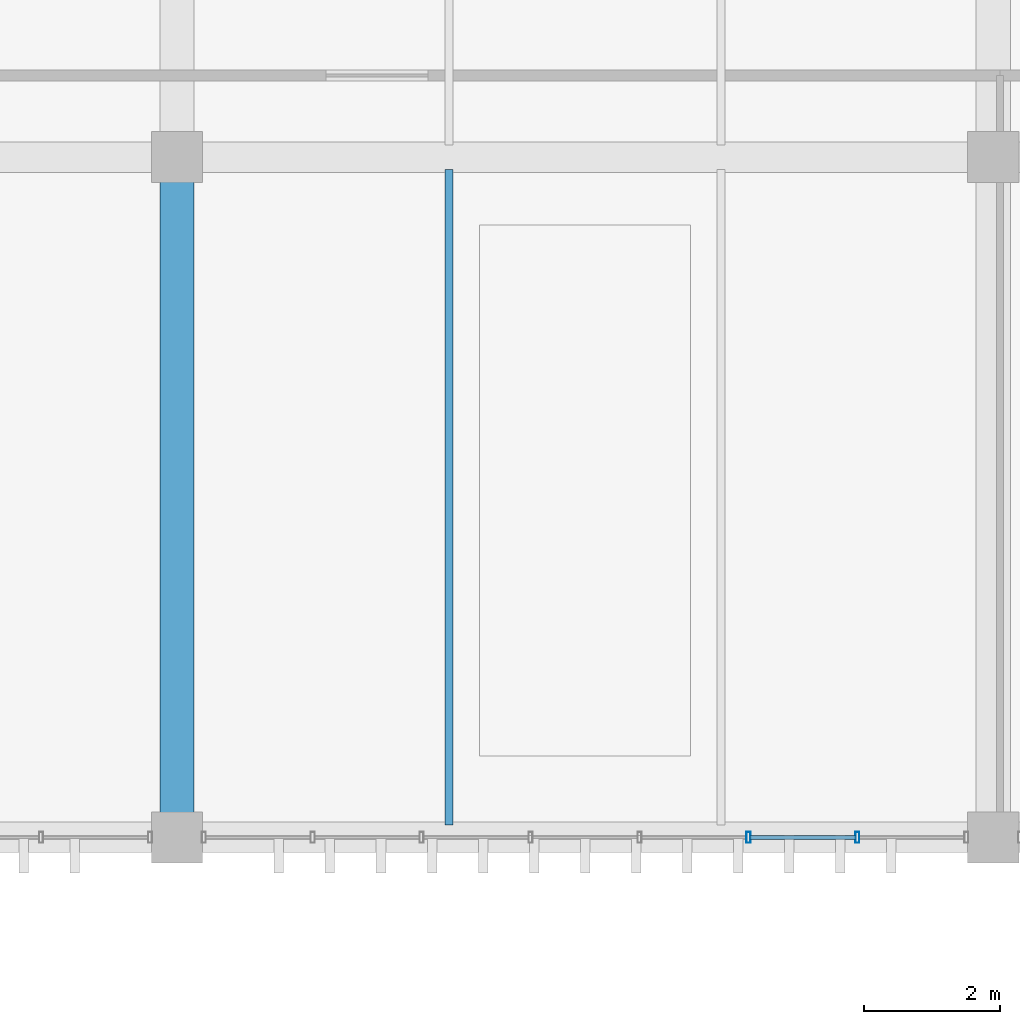
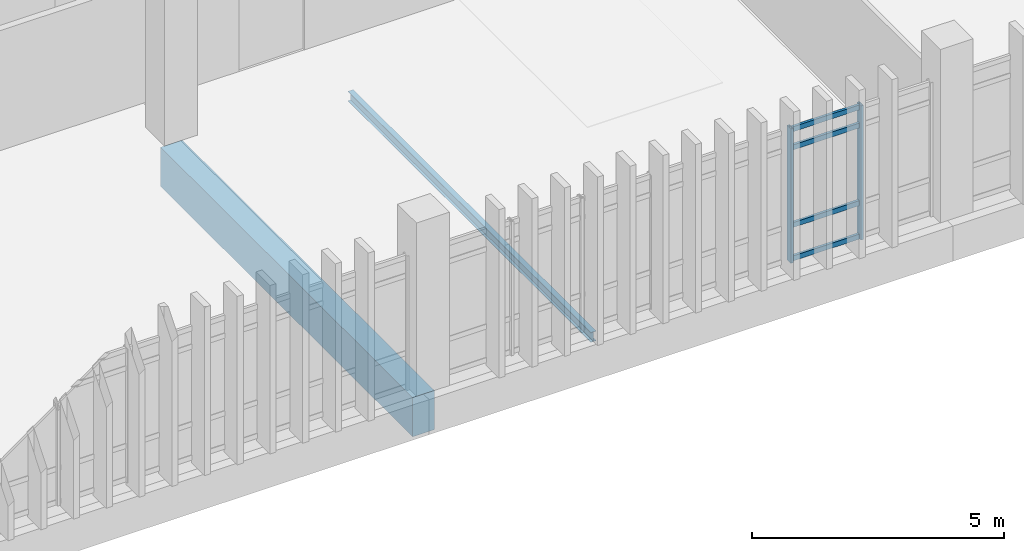
# One storey, part 26 of 111: 6 members, 2 beams, 1 element without a shape of its own.
"""IFC4 building model written with IfcOpenShell, lengths in metres."""

import ifcopenshell
import ifcopenshell.guid

model = None  # the IFC model being written
_history = None  # IfcOwnerHistory: only IFC2X3 demands one
_inside = {}  # id of a spatial element -> (the spatial element, [elements in it])
_under = {}  # id of a project, library or spatial element -> (it, [spatial elements below it])
_declared = {}  # id of a project -> (the project, [libraries it declares])
_typed = {}  # id of a type object -> (the type object, [elements of that type])
_made_of = {}  # id of a material, layer set ... -> (it, [elements and type objects made of it])


def new_model(schema):
    """Start an empty IFC model of exactly this schema.

    Asked for "IFC4X3", IfcOpenShell would pick the latest addendum, in which some entities
    have other attributes; the version numbers below select the first issue.
    IFC2X3 requires an IfcOwnerHistory on every rooted entity: one is made here for all.
    """
    global model, _history
    if schema == "IFC4X3":
        model = ifcopenshell.file(schema_version=(4, 3, 0, 0))
    else:
        model = ifcopenshell.file(schema=schema)
    _inside.clear()
    _under.clear()
    _declared.clear()
    _typed.clear()
    _made_of.clear()
    _history = None
    if model.schema == "IFC2X3":
        org = make("IfcOrganization", Name="unknown")
        user = make(
            "IfcPersonAndOrganization",
            ThePerson=make("IfcPerson", FamilyName="unknown"),
            TheOrganization=org,
        )
        app = make(
            "IfcApplication",
            ApplicationDeveloper=org,
            Version="unknown",
            ApplicationFullName="unknown",
            ApplicationIdentifier="unknown",
        )
        _history = make(
            "IfcOwnerHistory",
            OwningUser=user,
            OwningApplication=app,
            ChangeAction="ADDED",
            CreationDate=0,
        )
    return model


def make(cls, **values):
    """One entity of the class cls with the attributes given. An attribute that is None is left unset."""
    return model.create_entity(
        cls, **{name: value for name, value in values.items() if value is not None}
    )


def rooted(cls, **values):
    """An entity with a GlobalId (a new one), such as an element, a storey or a relation."""
    return make(cls, GlobalId=ifcopenshell.guid.new(), OwnerHistory=_history, **values)


def si_unit(unit_type, name, prefix=None):
    """IfcSIUnit, for example si_unit("LENGTHUNIT", "METRE", prefix="MILLI")."""
    return make("IfcSIUnit", UnitType=unit_type, Prefix=prefix, Name=name)


def assignment(units):
    """IfcUnitAssignment: the units of a project."""
    return None if units is None else make("IfcUnitAssignment", Units=units)


def point(xyz):
    """IfcCartesianPoint."""
    return None if xyz is None else make("IfcCartesianPoint", Coordinates=xyz)


def direction(xyz):
    """IfcDirection."""
    return None if xyz is None else make("IfcDirection", DirectionRatios=xyz)


def frame(location, z_axis=None, x_axis=None):
    """IfcAxis2Placement3D, a coordinate frame: its origin and axes. An axis left out is left unset."""
    return make(
        "IfcAxis2Placement3D",
        Location=point(location),
        Axis=direction(z_axis),
        RefDirection=direction(x_axis),
    )


def frame_2d(location, x_axis=None):
    """IfcAxis2Placement2D, a coordinate frame in the plane: its origin and x axis."""
    return make(
        "IfcAxis2Placement2D", Location=point(location), RefDirection=direction(x_axis)
    )


def origin():
    """The frame at (0, 0, 0) with its axes left unset."""
    return frame((0.0, 0.0, 0.0))


def origin_2d():
    """The frame at (0, 0) in the plane with its x axis left unset."""
    return frame_2d((0.0, 0.0))


def place(relative_to, where):
    """IfcLocalPlacement: puts the frame where relative to a parent placement (None: the world)."""
    return make(
        "IfcLocalPlacement", PlacementRelTo=relative_to, RelativePlacement=where
    )


def context(
    kind, dimensions, precision=None, world=None, true_north=None, identifier=None
):
    """IfcGeometricRepresentationContext, for example the 3D "Model" context."""
    return make(
        "IfcGeometricRepresentationContext",
        ContextIdentifier=identifier,
        ContextType=kind,
        CoordinateSpaceDimension=dimensions,
        Precision=precision,
        WorldCoordinateSystem=world,
        TrueNorth=true_north,
    )


def subcontext(parent, identifier, kind, view, scale=None):
    """IfcGeometricRepresentationSubContext, for example "Body" below "Model"."""
    return make(
        "IfcGeometricRepresentationSubContext",
        ContextIdentifier=identifier,
        ContextType=kind,
        ParentContext=parent,
        TargetScale=scale,
        TargetView=view,
    )


def project(units=None, contexts=None):
    """IfcProject with its units and contexts."""
    return rooted(
        "IfcProject",
        Name="project",
        RepresentationContexts=contexts,
        UnitsInContext=assignment(units),
    )


def spatial(cls, under=None, at=None, **own):
    """A site, building, storey or space (cls), placed at a placement, below another one or the project."""
    s = rooted(cls, ObjectPlacement=at, **own)
    if under is not None:
        _under.setdefault(under.id(), (under, []))[1].append(s)
    return s


def profile(cls, at=None, kind="AREA", **sizes):
    """A parametric profile (cls). Its sizes go by their IFC names, for example OverallWidth=200.0."""
    return make(cls, ProfileType=kind, Position=at, **sizes)


def rectangle(**sizes):
    """IfcRectangleProfileDef."""
    return profile("IfcRectangleProfileDef", **sizes)


def hollow_rectangle(**sizes):
    """IfcRectangleHollowProfileDef."""
    return profile("IfcRectangleHollowProfileDef", **sizes)


def i_section(**sizes):
    """IfcIShapeProfileDef."""
    return profile("IfcIShapeProfileDef", **sizes)


def extrude(swept, where, along, depth):
    """IfcExtrudedAreaSolid: the profile swept, set in the frame where, extruded along a direction by depth."""
    return make(
        "IfcExtrudedAreaSolid",
        SweptArea=swept,
        Position=where,
        ExtrudedDirection=direction(along),
        Depth=depth,
    )


def shape(context_of_items, identifier, shape_type, items):
    """IfcShapeRepresentation: the items that make up one representation, for example the "Body"."""
    return make(
        "IfcShapeRepresentation",
        ContextOfItems=context_of_items,
        RepresentationIdentifier=identifier,
        RepresentationType=shape_type,
        Items=items,
    )


def material(Name=None, Category=None):
    """IfcMaterial."""
    return make("IfcMaterial", Name=Name, Category=Category)


def layer(
    of_material, thickness, ventilated=None, Name=None, Category=None, Priority=None
):
    """IfcMaterialLayer: one layer of a wall or slab, of a material (None: an air gap)."""
    return make(
        "IfcMaterialLayer",
        Material=of_material,
        LayerThickness=thickness,
        IsVentilated=ventilated,
        Name=Name,
        Category=Category,
        Priority=Priority,
    )


def layer_set(layers, Name=None):
    """IfcMaterialLayerSet."""
    return make("IfcMaterialLayerSet", MaterialLayers=layers, LayerSetName=Name)


def material_profile(
    of_material, cross_section, Name=None, Category=None, Priority=None
):
    """IfcMaterialProfile: a cross section and its material."""
    return make(
        "IfcMaterialProfile",
        Name=Name,
        Material=of_material,
        Profile=cross_section,
        Priority=Priority,
        Category=Category,
    )


def profile_set(profiles, Name=None, composite=None):
    """IfcMaterialProfileSet."""
    return make(
        "IfcMaterialProfileSet",
        Name=Name,
        MaterialProfiles=profiles,
        CompositeProfile=composite,
    )


def made_of(thing, what):
    """Note that an element or type object is made of a material, layer set ...; save() writes the relation."""
    if what is not None:
        _made_of.setdefault(what.id(), (what, []))[1].append(thing)
    return thing


def type_object(cls, material=None, **own):
    """A type object (cls), such as IfcWallType, which elements share."""
    return made_of(rooted(cls, **own), material)


def element(
    cls,
    number,
    at=None,
    inside=None,
    cuts=None,
    type_object=None,
    material=None,
    context=None,
    identifier="Body",
    shape_type=None,
    held_by="IfcProductDefinitionShape",
    body=None,
    shapes=None,
    **own,
):
    """One element of the class cls, such as IfcWall. Its Tag is "e" and its number.

    at: its placement. inside: the storey or other place that contains it. cuts: it is an
    opening in that element (IfcRelVoidsElement). A single representation is given by context,
    identifier, shape_type and body (its items); several are given by shapes. held_by: the class
    of the entity that holds the representations. save() writes the other relations.
    """
    e = rooted(cls, Tag="e%d" % number, ObjectPlacement=at, **own)
    if body is not None:
        shapes = [shape(context, identifier, shape_type, body)]
    if shapes is not None:
        e.Representation = make(held_by, Representations=shapes)
    if inside is not None:
        _inside.setdefault(inside.id(), (inside, []))[1].append(e)
    if cuts is not None:
        rooted(
            "IfcRelVoidsElement", RelatingBuildingElement=cuts, RelatedOpeningElement=e
        )
    if type_object is not None:
        _typed.setdefault(type_object.id(), (type_object, []))[1].append(e)
    return made_of(e, material)


def aggregate(whole, parts):
    """IfcRelAggregates: a whole, such as a stair, and the parts it consists of."""
    return rooted("IfcRelAggregates", RelatingObject=whole, RelatedObjects=parts)


def save(model, path):
    """Write the relations noted so far, then the file.

    IfcRelAggregates (storeys below a building ...), IfcRelContainedInSpatialStructure (elements
    in a storey), IfcRelDefinesByType, IfcRelAssociatesMaterial and IfcRelDeclares: one each for
    every whole, place, type object, material and project.
    """
    for whole, parts in _under.values():
        aggregate(whole, parts)
    for where, things in _inside.values():
        rooted(
            "IfcRelContainedInSpatialStructure",
            RelatedElements=things,
            RelatingStructure=where,
        )
    for kind, things in _typed.values():
        rooted("IfcRelDefinesByType", RelatedObjects=things, RelatingType=kind)
    for what, things in _made_of.values():
        rooted("IfcRelAssociatesMaterial", RelatedObjects=things, RelatingMaterial=what)
    for by, libraries in _declared.values():
        rooted("IfcRelDeclares", RelatingContext=by, RelatedDefinitions=libraries)
    model.write(path)


model = new_model("IFC4")

# Units and contexts
model_context = context("Model", 3, precision=1e-05, world=origin(), true_north=direction((0.0, 1.0)))
body_context = subcontext(model_context, "Body", "Model", "MODEL_VIEW")
ifc_project = project(units=[si_unit("LENGTHUNIT", "METRE"), si_unit("AREAUNIT", "SQUARE_METRE"), si_unit("VOLUMEUNIT", "CUBIC_METRE"), si_unit("PLANEANGLEUNIT", "RADIAN"), si_unit("MASSUNIT", "GRAM", prefix="KILO")], contexts=[model_context])

# Site, building, storey
site_placement = place(None, origin())
site = spatial("IfcSite", under=ifc_project, at=site_placement, CompositionType="ELEMENT")
building_placement = place(site_placement, origin())
building = spatial("IfcBuilding", under=site, at=building_placement, Name="Mersad Railyard Sports Hall", CompositionType="ELEMENT")
storey_placement = place(building_placement, frame((0.0, 0.0, 9.0)))
storey = spatial("IfcBuildingStorey", under=building, at=storey_placement, Name="L02", CompositionType="ELEMENT", Elevation=9.0)

# Curtain wall, members
ifc_material_1 = material(Name="Aluminium 6063-T6", Category="aluminium")
ifc_layer = layer(ifc_material_1, 0.159912109375)
ifc_layer_set = layer_set([ifc_layer], Name="Aluminium 6063-T6")
curtain_wall_type = type_object("IfcCurtainWallType", Name="ARC-CW-CW54", PredefinedType="USERDEFINED", material=ifc_layer_set)
curtain_wall_placement = place(storey_placement, origin())
curtain_wall = element("IfcCurtainWall", 1, at=curtain_wall_placement, inside=storey, type_object=curtain_wall_type, Name="Curtain wall CW54-0144", ObjectType="CURTAIN WALL", PredefinedType="USERDEFINED")
ifc_material_profile_1 = material_profile(ifc_material_1, hollow_rectangle(XDim=0.06005859375, YDim=0.159912109375, WallThickness=0.00390625, at=origin_2d()), Name="AL MULLION 60x160x4")
ifc_profile_set_1 = profile_set([ifc_material_profile_1], Name="Aluminium 6063-T6")
member_type_1 = type_object("IfcMemberType", Name="ARC-CW-MUL01", PredefinedType="MULLION", material=ifc_profile_set_1)
member_1_placement = place(storey_placement, frame((65.003662109375, 85.0, -0.02001953125), z_axis=(0.0, 0.0, 1.0), x_axis=(1.0, 0.0, 0.0)))
member_1 = element("IfcMember", 2, at=member_1_placement, type_object=member_type_1, Name="CW54 Mullion 2", PredefinedType="MULLION", context=body_context, shape_type="SweptSolid", body=[
    extrude(hollow_rectangle(XDim=0.06005859375, YDim=0.159912109375, WallThickness=0.00390625, at=origin_2d()), origin(), (0.0, 0.0, 1.0), 3.25),
])
member_2_placement = place(storey_placement, frame((63.402099609375, 85.0, -0.02001953125), z_axis=(0.0, 0.0, 1.0), x_axis=(1.0, 0.0, 0.0)))
member_2 = element("IfcMember", 3, at=member_2_placement, type_object=member_type_1, Name="CW54 Mullion 3", PredefinedType="MULLION", context=body_context, shape_type="SweptSolid", body=[
    extrude(hollow_rectangle(XDim=0.06005859375, YDim=0.159912109375, WallThickness=0.00390625, at=origin_2d()), origin(), (0.0, 0.0, 1.0), 3.25),
])
ifc_material_profile_2 = material_profile(ifc_material_1, hollow_rectangle(XDim=0.06005859375, YDim=0.1201171875, WallThickness=0.00390625, at=origin_2d()), Name="AL TRANSOM 60x120x4")
ifc_profile_set_2 = profile_set([ifc_material_profile_2], Name="Aluminium 6063-T6")
member_type_2 = type_object("IfcMemberType", Name="ARC-CW-TRN01", PredefinedType="USERDEFINED", material=ifc_profile_set_2)
member_3_placement = place(storey_placement, frame((64.983642578125, 85.0, 0.0400390625), z_axis=(-1.0, 0.0, 0.0), x_axis=(0.0, -1.0, 0.0)))
member_3 = element("IfcMember", 4, at=member_3_placement, type_object=member_type_2, Name="CW54 Transom 1-2", ObjectType="TRANSOM", PredefinedType="USERDEFINED", context=body_context, shape_type="SweptSolid", body=[
    extrude(hollow_rectangle(XDim=0.06005859375, YDim=0.1201171875, WallThickness=0.00390625, at=origin_2d()), origin(), (0.0, 0.0, 1.0), 1.5615234375),
])
member_4_placement = place(storey_placement, frame((64.983642578125, 85.0, 0.85009765625), z_axis=(-1.0, 0.0, 0.0), x_axis=(0.0, -1.0, 0.0)))
member_4 = element("IfcMember", 5, at=member_4_placement, type_object=member_type_2, Name="CW54 Transom 2-2", ObjectType="TRANSOM", PredefinedType="USERDEFINED", context=body_context, shape_type="SweptSolid", body=[
    extrude(hollow_rectangle(XDim=0.06005859375, YDim=0.1201171875, WallThickness=0.00390625, at=origin_2d()), origin(), (0.0, 0.0, 1.0), 1.5615234375),
])
member_5_placement = place(storey_placement, frame((64.983642578125, 85.0, 2.72998046875), z_axis=(-1.0, 0.0, 0.0), x_axis=(0.0, -1.0, 0.0)))
member_5 = element("IfcMember", 6, at=member_5_placement, type_object=member_type_2, Name="CW54 Transom 3-2", ObjectType="TRANSOM", PredefinedType="USERDEFINED", context=body_context, shape_type="SweptSolid", body=[
    extrude(hollow_rectangle(XDim=0.06005859375, YDim=0.1201171875, WallThickness=0.00390625, at=origin_2d()), origin(), (0.0, 0.0, 1.0), 1.5615234375),
])
member_6_placement = place(storey_placement, frame((64.983642578125, 85.0, 3.169921875), z_axis=(-1.0, 0.0, 0.0), x_axis=(0.0, -1.0, 0.0)))
member_6 = element("IfcMember", 7, at=member_6_placement, type_object=member_type_2, Name="CW54 Transom 4-2", ObjectType="TRANSOM", PredefinedType="USERDEFINED", context=body_context, shape_type="SweptSolid", body=[
    extrude(hollow_rectangle(XDim=0.06005859375, YDim=0.1201171875, WallThickness=0.00390625, at=origin_2d()), origin(), (0.0, 0.0, 1.0), 1.5615234375),
])
aggregate(curtain_wall, [member_1, member_2, member_3, member_4, member_5, member_6])

# Beams
ifc_material_2 = material(Name="Concrete C50/60", Category="concrete")
ifc_material_profile_3 = material_profile(ifc_material_2, rectangle(XDim=0.5, YDim=0.949951171875, at=origin_2d()), Name="RC 500x950")
ifc_profile_set_3 = profile_set([ifc_material_profile_3], Name="Concrete C50/60")
beam_type_1 = type_object("IfcBeamType", Name="STR-BM-B03", PredefinedType="BEAM", material=ifc_profile_set_3)
beam_1_placement = place(storey_placement, frame((55.0, 85.0, -0.77490234375), z_axis=(0.0, 1.0, 0.0), x_axis=(-1.0, 0.0, 0.0)))
element("IfcBeam", 8, at=beam_1_placement, inside=storey, type_object=beam_type_1, Name="Beam B03-1100", PredefinedType="BEAM", context=body_context, shape_type="SweptSolid", body=[
    extrude(rectangle(XDim=0.5, YDim=0.949951171875, at=origin_2d()), origin(), (0.0, 0.0, 1.0), 10.0),
])
ifc_material_3 = material(Name="Steel S355", Category="steel")
ifc_material_profile_4 = material_profile(ifc_material_3, i_section(OverallWidth=0.1201171875, OverallDepth=0.239990234375, WebThickness=0.006103515625, FlangeThickness=0.009765625, at=origin_2d()), Name="IPE 240")
ifc_profile_set_4 = profile_set([ifc_material_profile_4], Name="Steel S355")
beam_type_2 = type_object("IfcBeamType", Name="STR-BM-SB03", PredefinedType="BEAM", material=ifc_profile_set_4)
beam_2_placement = place(storey_placement, frame((59.0, 85.179931640625, -0.419921875), z_axis=(0.0, 1.0, 0.0), x_axis=(-1.0, 0.0, 0.0)))
element("IfcBeam", 9, at=beam_2_placement, inside=storey, type_object=beam_type_2, Name="Beam SB03-1155", PredefinedType="BEAM", context=body_context, shape_type="SweptSolid", body=[
    extrude(i_section(OverallWidth=0.1201171875, OverallDepth=0.239990234375, WebThickness=0.006103515625, FlangeThickness=0.009765625, at=origin_2d()), origin(), (0.0, 0.0, 1.0), 9.64013671875),
])

save(model, "model.ifc")
